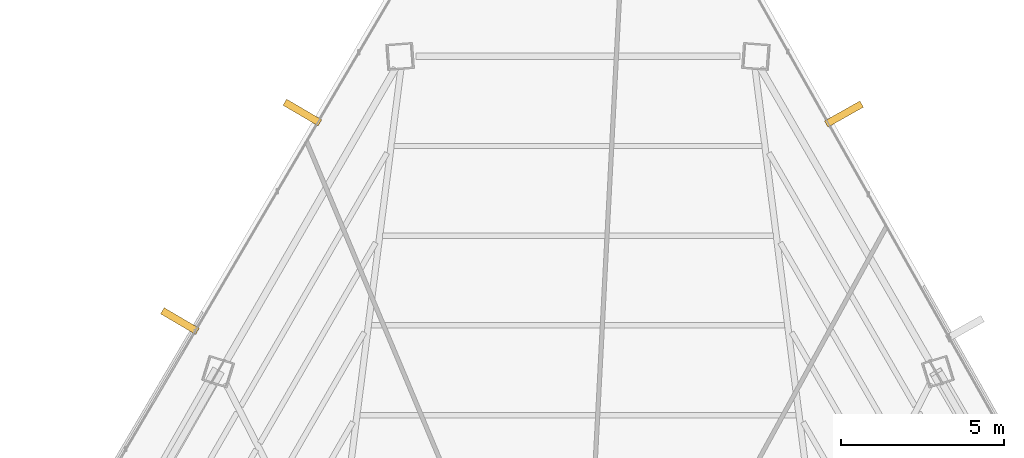
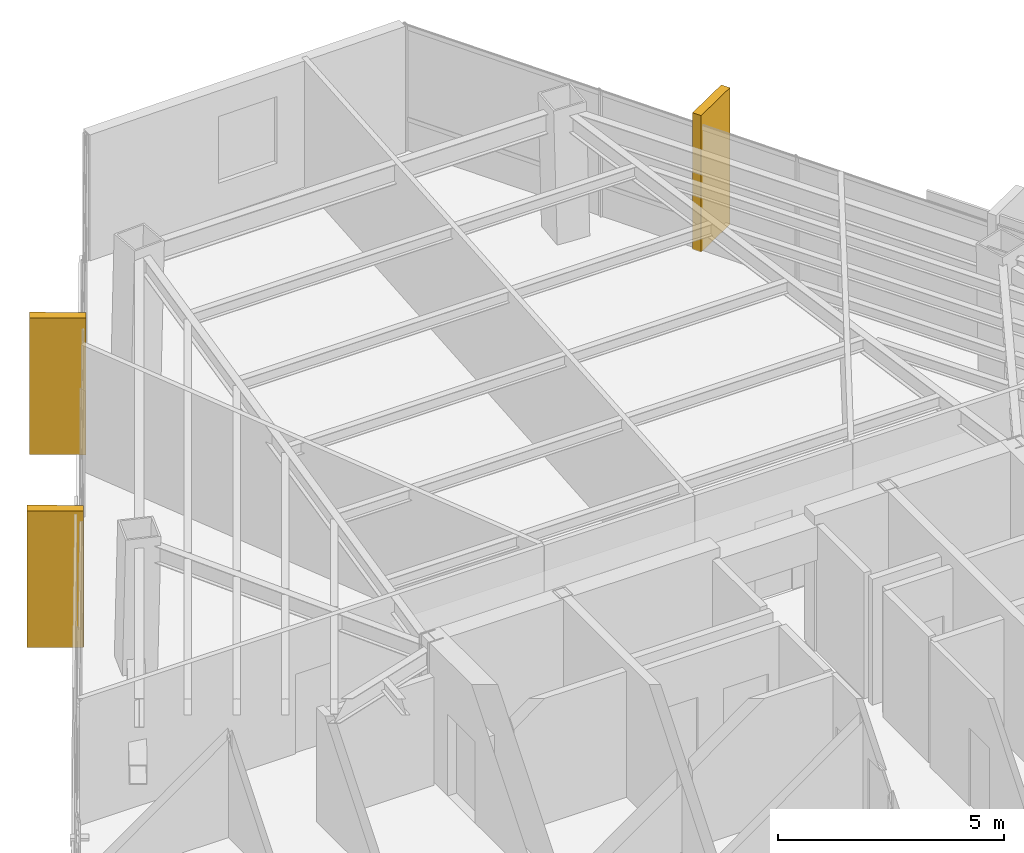
# One storey, part 42 of 42: 3 coverings.
"""IFC4 building model written with IfcOpenShell, lengths in metres."""

import ifcopenshell
import ifcopenshell.guid

model = None  # the IFC model being written
_history = None  # IfcOwnerHistory: only IFC2X3 demands one
_inside = {}  # id of a spatial element -> (the spatial element, [elements in it])
_under = {}  # id of a project, library or spatial element -> (it, [spatial elements below it])
_declared = {}  # id of a project -> (the project, [libraries it declares])
_typed = {}  # id of a type object -> (the type object, [elements of that type])
_made_of = {}  # id of a material, layer set ... -> (it, [elements and type objects made of it])


def new_model(schema):
    """Start an empty IFC model of exactly this schema.

    Asked for "IFC4X3", IfcOpenShell would pick the latest addendum, in which some entities
    have other attributes; the version numbers below select the first issue.
    IFC2X3 requires an IfcOwnerHistory on every rooted entity: one is made here for all.
    """
    global model, _history
    if schema == "IFC4X3":
        model = ifcopenshell.file(schema_version=(4, 3, 0, 0))
    else:
        model = ifcopenshell.file(schema=schema)
    _inside.clear()
    _under.clear()
    _declared.clear()
    _typed.clear()
    _made_of.clear()
    _history = None
    if model.schema == "IFC2X3":
        org = make("IfcOrganization", Name="unknown")
        user = make(
            "IfcPersonAndOrganization",
            ThePerson=make("IfcPerson", FamilyName="unknown"),
            TheOrganization=org,
        )
        app = make(
            "IfcApplication",
            ApplicationDeveloper=org,
            Version="unknown",
            ApplicationFullName="unknown",
            ApplicationIdentifier="unknown",
        )
        _history = make(
            "IfcOwnerHistory",
            OwningUser=user,
            OwningApplication=app,
            ChangeAction="ADDED",
            CreationDate=0,
        )
    return model


def make(cls, **values):
    """One entity of the class cls with the attributes given. An attribute that is None is left unset."""
    return model.create_entity(
        cls, **{name: value for name, value in values.items() if value is not None}
    )


def rooted(cls, **values):
    """An entity with a GlobalId (a new one), such as an element, a storey or a relation."""
    return make(cls, GlobalId=ifcopenshell.guid.new(), OwnerHistory=_history, **values)


def si_unit(unit_type, name, prefix=None):
    """IfcSIUnit, for example si_unit("LENGTHUNIT", "METRE", prefix="MILLI")."""
    return make("IfcSIUnit", UnitType=unit_type, Prefix=prefix, Name=name)


def assignment(units):
    """IfcUnitAssignment: the units of a project."""
    return None if units is None else make("IfcUnitAssignment", Units=units)


def point(xyz):
    """IfcCartesianPoint."""
    return None if xyz is None else make("IfcCartesianPoint", Coordinates=xyz)


def direction(xyz):
    """IfcDirection."""
    return None if xyz is None else make("IfcDirection", DirectionRatios=xyz)


def frame(location, z_axis=None, x_axis=None):
    """IfcAxis2Placement3D, a coordinate frame: its origin and axes. An axis left out is left unset."""
    return make(
        "IfcAxis2Placement3D",
        Location=point(location),
        Axis=direction(z_axis),
        RefDirection=direction(x_axis),
    )


def frame_2d(location, x_axis=None):
    """IfcAxis2Placement2D, a coordinate frame in the plane: its origin and x axis."""
    return make(
        "IfcAxis2Placement2D", Location=point(location), RefDirection=direction(x_axis)
    )


def origin():
    """The frame at (0, 0, 0) with its axes left unset."""
    return frame((0.0, 0.0, 0.0))


def origin_2d():
    """The frame at (0, 0) in the plane with its x axis left unset."""
    return frame_2d((0.0, 0.0))


def place(relative_to, where):
    """IfcLocalPlacement: puts the frame where relative to a parent placement (None: the world)."""
    return make(
        "IfcLocalPlacement", PlacementRelTo=relative_to, RelativePlacement=where
    )


def context(
    kind, dimensions, precision=None, world=None, true_north=None, identifier=None
):
    """IfcGeometricRepresentationContext, for example the 3D "Model" context."""
    return make(
        "IfcGeometricRepresentationContext",
        ContextIdentifier=identifier,
        ContextType=kind,
        CoordinateSpaceDimension=dimensions,
        Precision=precision,
        WorldCoordinateSystem=world,
        TrueNorth=true_north,
    )


def subcontext(parent, identifier, kind, view, scale=None):
    """IfcGeometricRepresentationSubContext, for example "Body" below "Model"."""
    return make(
        "IfcGeometricRepresentationSubContext",
        ContextIdentifier=identifier,
        ContextType=kind,
        ParentContext=parent,
        TargetScale=scale,
        TargetView=view,
    )


def project(units=None, contexts=None):
    """IfcProject with its units and contexts."""
    return rooted(
        "IfcProject",
        Name="project",
        RepresentationContexts=contexts,
        UnitsInContext=assignment(units),
    )


def spatial(cls, under=None, at=None, **own):
    """A site, building, storey or space (cls), placed at a placement, below another one or the project."""
    s = rooted(cls, ObjectPlacement=at, **own)
    if under is not None:
        _under.setdefault(under.id(), (under, []))[1].append(s)
    return s


def profile(cls, at=None, kind="AREA", **sizes):
    """A parametric profile (cls). Its sizes go by their IFC names, for example OverallWidth=200.0."""
    return make(cls, ProfileType=kind, Position=at, **sizes)


def rectangle(**sizes):
    """IfcRectangleProfileDef."""
    return profile("IfcRectangleProfileDef", **sizes)


def extrude(swept, where, along, depth):
    """IfcExtrudedAreaSolid: the profile swept, set in the frame where, extruded along a direction by depth."""
    return make(
        "IfcExtrudedAreaSolid",
        SweptArea=swept,
        Position=where,
        ExtrudedDirection=direction(along),
        Depth=depth,
    )


def shape(context_of_items, identifier, shape_type, items):
    """IfcShapeRepresentation: the items that make up one representation, for example the "Body"."""
    return make(
        "IfcShapeRepresentation",
        ContextOfItems=context_of_items,
        RepresentationIdentifier=identifier,
        RepresentationType=shape_type,
        Items=items,
    )


def source(mapping_origin, context_of_items, identifier, shape_type, items):
    """IfcRepresentationMap: a shape defined once, which mapped items show again and again."""
    return make(
        "IfcRepresentationMap",
        MappingOrigin=mapping_origin,
        MappedRepresentation=shape(context_of_items, identifier, shape_type, items),
    )


def transform(
    local_origin,
    x_axis=None,
    y_axis=None,
    z_axis=None,
    scale=None,
    scale2=None,
    scale3=None,
    uniform=True,
):
    """IfcCartesianTransformationOperator3D, or its non-uniform kind. x_axis, y_axis, z_axis: its Axis1, 2, 3."""
    if uniform:
        return make(
            "IfcCartesianTransformationOperator3D",
            Axis1=direction(x_axis),
            Axis2=direction(y_axis),
            LocalOrigin=point(local_origin),
            Scale=scale,
            Axis3=direction(z_axis),
        )
    return make(
        "IfcCartesianTransformationOperator3DnonUniform",
        Axis1=direction(x_axis),
        Axis2=direction(y_axis),
        LocalOrigin=point(local_origin),
        Scale=scale,
        Axis3=direction(z_axis),
        Scale2=scale2,
        Scale3=scale3,
    )


def mapped(mapping_source, mapping_target):
    """IfcMappedItem: shows the shape of a source again, moved by a transform."""
    return make(
        "IfcMappedItem", MappingSource=mapping_source, MappingTarget=mapping_target
    )


def material(Name=None, Category=None):
    """IfcMaterial."""
    return make("IfcMaterial", Name=Name, Category=Category)


def layer(
    of_material, thickness, ventilated=None, Name=None, Category=None, Priority=None
):
    """IfcMaterialLayer: one layer of a wall or slab, of a material (None: an air gap)."""
    return make(
        "IfcMaterialLayer",
        Material=of_material,
        LayerThickness=thickness,
        IsVentilated=ventilated,
        Name=Name,
        Category=Category,
        Priority=Priority,
    )


def layer_set(layers, Name=None):
    """IfcMaterialLayerSet."""
    return make("IfcMaterialLayerSet", MaterialLayers=layers, LayerSetName=Name)


def made_of(thing, what):
    """Note that an element or type object is made of a material, layer set ...; save() writes the relation."""
    if what is not None:
        _made_of.setdefault(what.id(), (what, []))[1].append(thing)
    return thing


def type_object(cls, material=None, **own):
    """A type object (cls), such as IfcWallType, which elements share."""
    return made_of(rooted(cls, **own), material)


def type_shapes(of_type, sources):
    """Give a type object the sources (RepresentationMaps) that its elements show as mapped items."""
    of_type.RepresentationMaps = sources


def element(
    cls,
    number,
    at=None,
    inside=None,
    cuts=None,
    type_object=None,
    material=None,
    context=None,
    identifier="Body",
    shape_type=None,
    held_by="IfcProductDefinitionShape",
    body=None,
    shapes=None,
    **own,
):
    """One element of the class cls, such as IfcWall. Its Tag is "e" and its number.

    at: its placement. inside: the storey or other place that contains it. cuts: it is an
    opening in that element (IfcRelVoidsElement). A single representation is given by context,
    identifier, shape_type and body (its items); several are given by shapes. held_by: the class
    of the entity that holds the representations. save() writes the other relations.
    """
    e = rooted(cls, Tag="e%d" % number, ObjectPlacement=at, **own)
    if body is not None:
        shapes = [shape(context, identifier, shape_type, body)]
    if shapes is not None:
        e.Representation = make(held_by, Representations=shapes)
    if inside is not None:
        _inside.setdefault(inside.id(), (inside, []))[1].append(e)
    if cuts is not None:
        rooted(
            "IfcRelVoidsElement", RelatingBuildingElement=cuts, RelatedOpeningElement=e
        )
    if type_object is not None:
        _typed.setdefault(type_object.id(), (type_object, []))[1].append(e)
    return made_of(e, material)


def aggregate(whole, parts):
    """IfcRelAggregates: a whole, such as a stair, and the parts it consists of."""
    return rooted("IfcRelAggregates", RelatingObject=whole, RelatedObjects=parts)


def save(model, path):
    """Write the relations noted so far, then the file.

    IfcRelAggregates (storeys below a building ...), IfcRelContainedInSpatialStructure (elements
    in a storey), IfcRelDefinesByType, IfcRelAssociatesMaterial and IfcRelDeclares: one each for
    every whole, place, type object, material and project.
    """
    for whole, parts in _under.values():
        aggregate(whole, parts)
    for where, things in _inside.values():
        rooted(
            "IfcRelContainedInSpatialStructure",
            RelatedElements=things,
            RelatingStructure=where,
        )
    for kind, things in _typed.values():
        rooted("IfcRelDefinesByType", RelatedObjects=things, RelatingType=kind)
    for what, things in _made_of.values():
        rooted("IfcRelAssociatesMaterial", RelatedObjects=things, RelatingMaterial=what)
    for by, libraries in _declared.values():
        rooted("IfcRelDeclares", RelatingContext=by, RelatedDefinitions=libraries)
    model.write(path)


model = new_model("IFC4")

# Units and contexts
model_context = context("Model", 3, precision=1e-05, world=origin(), true_north=direction((0.0, 1.0)))
body_context = subcontext(model_context, "Body", "Model", "MODEL_VIEW")
ifc_project = project(units=[si_unit("LENGTHUNIT", "METRE"), si_unit("AREAUNIT", "SQUARE_METRE"), si_unit("VOLUMEUNIT", "CUBIC_METRE"), si_unit("PLANEANGLEUNIT", "RADIAN"), si_unit("MASSUNIT", "GRAM", prefix="KILO")], contexts=[model_context])

# Site, building, storey
site_placement = place(None, origin())
site = spatial("IfcSite", under=ifc_project, at=site_placement, CompositionType="ELEMENT")
building_placement = place(site_placement, origin())
building = spatial("IfcBuilding", under=site, at=building_placement, Name="Caelisora Broadcast Tower", CompositionType="ELEMENT")
storey_placement = place(building_placement, frame((0.0, 0.0, 187.699951171875)))
storey = spatial("IfcBuildingStorey", under=building, at=storey_placement, Name="L49", CompositionType="ELEMENT", Elevation=187.699951171875)

# Coverings
ifc_material = material(Name="Kiln-Fired Terracotta Spandrel Rainscreen Cladding", Category="ceramic")
ifc_layer = layer(ifc_material, 0.044921875, Name="Kiln-Fired Terracotta Spandrel Rainscreen Cladding")
ifc_layer_set = layer_set([ifc_layer], Name="Kiln-Fired Terracotta Spandrel Rainscreen Cladding")
covering_type = type_object("IfcCoveringType", Name="CL-1", PredefinedType="CLADDING", material=ifc_layer_set)
shared_shape = source(origin(), body_context, "Body", "SweptSolid", [
    extrude(rectangle(XDim=0.219970703125, YDim=1.25, at=origin_2d()), origin(), (0.0, 0.0, 1.0), 3.68994140625),
])
type_shapes(covering_type, [shared_shape])
for number, where, z_axis, x_axis, name in (
    (1, (46.181640625, 44.781982421875, -0.02001953125), (0.0, 0.0, 1.0), (0.491055801632, -0.871128118983, 0.0), "L49 vertical solar fin cladding #1-1"),
    (2, (25.75341796875, 38.41357421875, -0.02001953125), (0.0, 0.0, 1.0), (0.506334807353, 0.862336977557, 0.0), "L49 vertical solar fin cladding #3-3"),
    (3, (29.520751953125, 44.82958984375, -0.02001953125), (0.0, 0.0, 1.0), (0.506334807353, 0.862336977557, 0.0), "L49 vertical solar fin cladding #3-4"),
):
    element("IfcCovering", number, at=place(storey_placement, frame(where, z_axis=z_axis, x_axis=x_axis)), inside=storey, type_object=covering_type, Name=name, PredefinedType="CLADDING", context=body_context, shape_type="MappedRepresentation", body=[
        mapped(shared_shape, transform((0.0, 0.0, 0.0), scale=1.0)),
    ])

save(model, "model.ifc")
